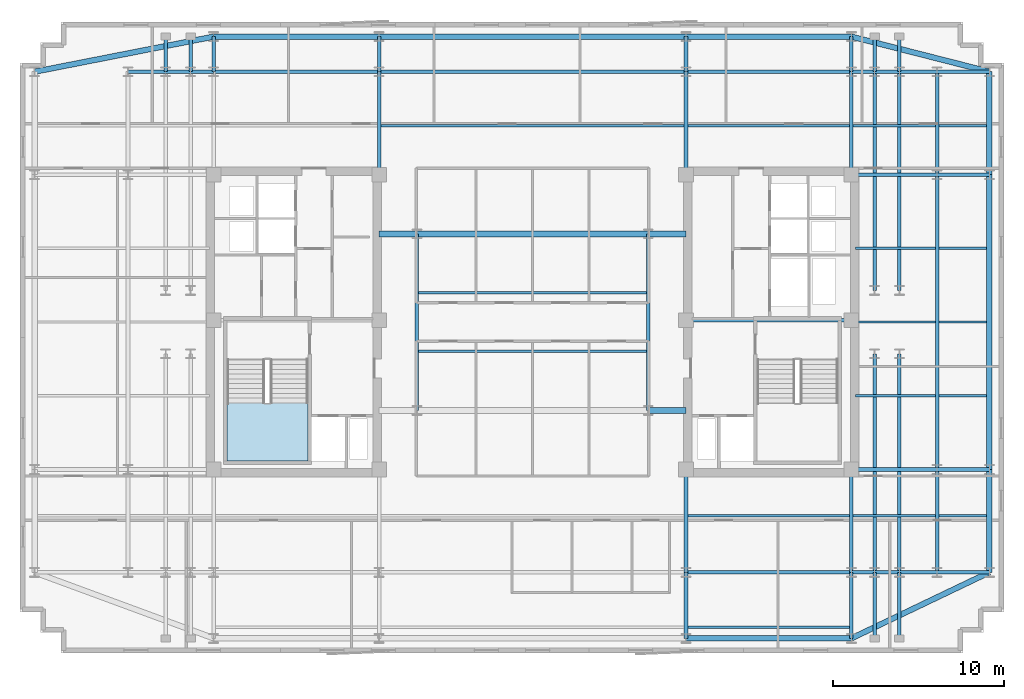
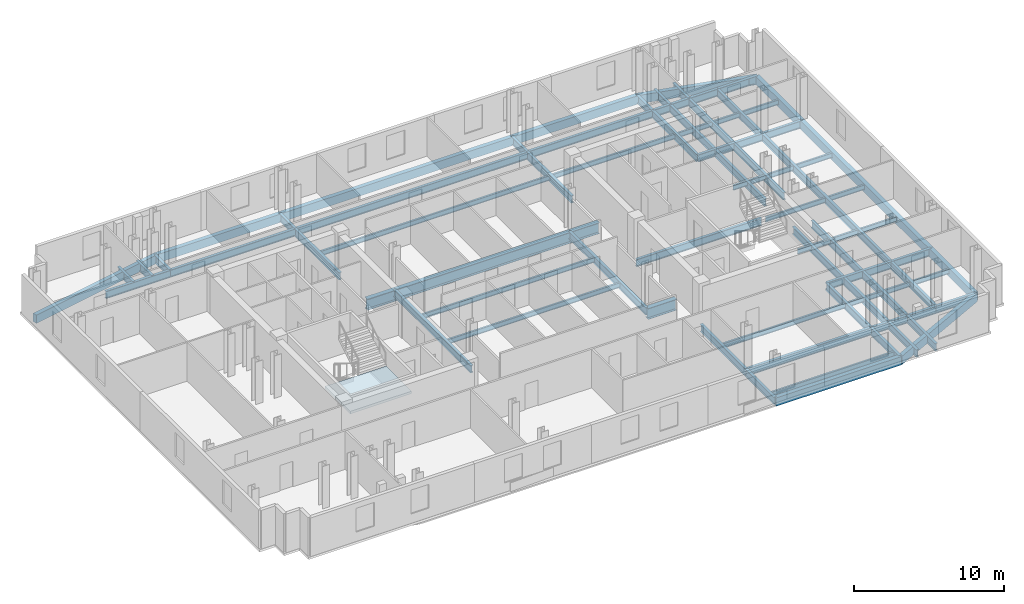
# One storey, part 2 of 10: 70 beams, 1 slab, 1 element without a shape of its own.
"""IFC4 building model written with IfcOpenShell, lengths in metres."""

from ifc_helpers import new_model, si_unit, direction, frame, origin, origin_2d, place, context, subcontext, project, spatial, polyline, rectangle, i_section, outline, extrude, material, layer, layer_set, material_profile, profile_set, type_object, element, aggregate, save


model = new_model("IFC4")

# Units and contexts
model_context = context("Model", 3, precision=1e-05, world=origin(), true_north=direction((0.0, 1.0)))
body_context = subcontext(model_context, "Body", "Model", "MODEL_VIEW")
ifc_project = project(units=[si_unit("LENGTHUNIT", "METRE"), si_unit("AREAUNIT", "SQUARE_METRE"), si_unit("VOLUMEUNIT", "CUBIC_METRE"), si_unit("PLANEANGLEUNIT", "RADIAN"), si_unit("MASSUNIT", "GRAM", prefix="KILO")], contexts=[model_context])

# Site, building, storey
site_placement = place(None, origin())
site = spatial("IfcSite", under=ifc_project, at=site_placement, CompositionType="ELEMENT")
building_placement = place(site_placement, origin())
building = spatial("IfcBuilding", under=site, at=building_placement, Name="Velakula Bourse", CompositionType="ELEMENT")
storey_placement = place(building_placement, frame((0.0, 0.0, 239.550048828125)))
storey = spatial("IfcBuildingStorey", under=building, at=storey_placement, Name="L65", CompositionType="ELEMENT", Elevation=239.550048828125)

# Beams
ifc_material_1 = material(Name="Steel IS 2062 Grade 350 (E350)", Category="steel")
ifc_material_profile_1 = material_profile(ifc_material_1, i_section(OverallWidth=0.2099609375, OverallDepth=0.60009765625, WebThickness=0.011962890625, FlangeThickness=0.020751953125, at=origin_2d()), Name="Steel IS 2062 Grade 350 (E350)")
ifc_profile_set_1 = profile_set([ifc_material_profile_1], Name="Steel IS 2062 Grade 350 (E350)")
beam_type_1 = type_object("IfcBeamType", Name="BM-GRD-600L", PredefinedType="BEAM", material=ifc_profile_set_1)
beam_1_placement = place(storey_placement, frame((8.949951171875, 0.10009765625, -0.47998046875), z_axis=(1.0, 0.0, 0.0), x_axis=(0.0, 1.0, 0.0)))
element("IfcBeam", 1, at=beam_1_placement, inside=storey, type_object=beam_type_1, Name="L65 Primary Backbone Girder CRE-M", PredefinedType="BEAM", context=body_context, shape_type="SweptSolid", body=[
    extrude(i_section(OverallWidth=0.2099609375, OverallDepth=0.60009765625, WebThickness=0.011962890625, FlangeThickness=0.020751953125, at=origin_2d()), origin(), (0.0, 0.0, 1.0), 9.650146484375),
])
for number, where, z_axis, x_axis, name in (
    (2, (-6.75, -5.14990234375, -0.47998046875), (0.0, 1.0, 0.0), (-1.0, 0.0, 0.0), "L65 Primary Backbone Girder SPN-W"),
    (3, (6.75, -5.14990234375, -0.47998046875), (0.0, 1.0, 0.0), (-1.0, 0.0, 0.0), "L65 Primary Backbone Girder SPN-E"),
):
    element("IfcBeam", number, at=place(storey_placement, frame(where, z_axis=z_axis, x_axis=x_axis)), inside=storey, type_object=beam_type_1, Name=name, PredefinedType="BEAM", context=body_context, shape_type="SweptSolid", body=[
        extrude(i_section(OverallWidth=0.2099609375, OverallDepth=0.60009765625, WebThickness=0.011962890625, FlangeThickness=0.020751953125, at=origin_2d()), origin(), (0.0, 0.0, 1.0), 10.2998046875),
    ])
for number, where, z_axis, x_axis, name in (
    (4, (-8.949951171875, 8.60009765625, -0.47998046875), (0.0, 1.0, 0.0), (-1.0, 0.0, 0.0), "L65 Fulcrum Grid Girder FLC-WCN"),
    (5, (8.949951171875, -14.60009765625, -0.47998046875), (0.0, 1.0, 0.0), (-1.0, 0.0, 0.0), "L65 Fulcrum Grid Girder FLC-ECS"),
    (6, (8.949951171875, 8.60009765625, -0.47998046875), (0.0, 1.0, 0.0), (-1.0, 0.0, 0.0), "L65 Fulcrum Grid Girder FLC-ECN"),
    (7, (18.60009765625, -14.60009765625, -0.47998046875), (0.0, 1.0, 0.0), (-1.0, 0.0, 0.0), "L65 Fulcrum Grid Girder FLC-ES"),
    (8, (18.60009765625, 8.60009765625, -0.47998046875), (0.0, 1.0, 0.0), (-1.0, 0.0, 0.0), "L65 Fulcrum Grid Girder FLC-EN"),
):
    element("IfcBeam", number, at=place(storey_placement, frame(where, z_axis=z_axis, x_axis=x_axis)), inside=storey, type_object=beam_type_1, Name=name, PredefinedType="BEAM", context=body_context, shape_type="SweptSolid", body=[
        extrude(i_section(OverallWidth=0.2099609375, OverallDepth=0.60009765625, WebThickness=0.011962890625, FlangeThickness=0.020751953125, at=origin_2d()), origin(), (0.0, 0.0, 1.0), 6.0),
    ])
for number, where, z_axis, x_axis, name in (
    (9, (8.949951171875, -14.60009765625, -0.47998046875), (1.0, 0.0, 0.0), (0.0, 1.0, 0.0), "L65 Fulcrum Grid Girder FLC-S3"),
    (10, (-18.60009765625, 14.60009765625, -0.47998046875), (1.0, 0.0, 0.0), (0.0, 1.0, 0.0), "L65 Fulcrum Grid Girder FLC-N1"),
):
    element("IfcBeam", number, at=place(storey_placement, frame(where, z_axis=z_axis, x_axis=x_axis)), inside=storey, type_object=beam_type_1, Name=name, PredefinedType="BEAM", context=body_context, shape_type="SweptSolid", body=[
        extrude(i_section(OverallWidth=0.2099609375, OverallDepth=0.60009765625, WebThickness=0.011962890625, FlangeThickness=0.020751953125, at=origin_2d()), origin(), (0.0, 0.0, 1.0), 9.650146484375),
    ])
beam_2_placement = place(storey_placement, frame((-8.949951171875, 14.60009765625, -0.47998046875), z_axis=(1.0, 0.0, 0.0), x_axis=(0.0, 1.0, 0.0)))
element("IfcBeam", 11, at=beam_2_placement, inside=storey, type_object=beam_type_1, Name="L65 Fulcrum Grid Girder FLC-N2", PredefinedType="BEAM", context=body_context, shape_type="SweptSolid", body=[
    extrude(i_section(OverallWidth=0.2099609375, OverallDepth=0.60009765625, WebThickness=0.011962890625, FlangeThickness=0.020751953125, at=origin_2d()), origin(), (0.0, 0.0, 1.0), 17.89990234375),
])
beam_3_placement = place(storey_placement, frame((8.949951171875, 14.60009765625, -0.47998046875), z_axis=(1.0, 0.0, 0.0), x_axis=(0.0, 1.0, 0.0)))
element("IfcBeam", 12, at=beam_3_placement, inside=storey, type_object=beam_type_1, Name="L65 Fulcrum Grid Girder FLC-N3", PredefinedType="BEAM", context=body_context, shape_type="SweptSolid", body=[
    extrude(i_section(OverallWidth=0.2099609375, OverallDepth=0.60009765625, WebThickness=0.011962890625, FlangeThickness=0.020751953125, at=origin_2d()), origin(), (0.0, 0.0, 1.0), 9.650146484375),
])
for number, where, z_axis, x_axis, name in (
    (13, (19.949951171875, -14.60009765625, -0.47998046875), (0.0, 1.0, 0.0), (-1.0, 0.0, 0.0), "L65 Fulcrum Grid Girder FLC-PSE1"),
    (14, (19.949951171875, 1.85009765625, -0.47998046875), (0.0, 1.0, 0.0), (-1.0, 0.0, 0.0), "L65 Fulcrum Grid Girder FLC-PNE1"),
    (15, (21.39990234375, -14.60009765625, -0.47998046875), (0.0, 1.0, 0.0), (-1.0, 0.0, 0.0), "L65 Fulcrum Grid Girder FLC-PSE2"),
    (16, (21.39990234375, 1.85009765625, -0.47998046875), (0.0, 1.0, 0.0), (-1.0, 0.0, 0.0), "L65 Fulcrum Grid Girder FLC-PNE2"),
):
    element("IfcBeam", number, at=place(storey_placement, frame(where, z_axis=z_axis, x_axis=x_axis)), inside=storey, type_object=beam_type_1, Name=name, PredefinedType="BEAM", context=body_context, shape_type="SweptSolid", body=[
        extrude(i_section(OverallWidth=0.2099609375, OverallDepth=0.60009765625, WebThickness=0.011962890625, FlangeThickness=0.020751953125, at=origin_2d()), origin(), (0.0, 0.0, 1.0), 12.75),
    ])
for number, where, z_axis, x_axis, name in (
    (17, (-23.60009765625, 14.60009765625, -0.47998046875), (1.0, 0.0, 0.0), (0.0, 1.0, 0.0), "L65 Fulcrum Grid Girder MWG-WN2"),
    (18, (18.60009765625, -14.60009765625, -0.47998046875), (1.0, 0.0, 0.0), (0.0, 1.0, 0.0), "L65 Fulcrum Grid Girder MWG-ES1"),
    (19, (18.60009765625, -8.60009765625, -0.47998046875), (1.0, 0.0, 0.0), (0.0, 1.0, 0.0), "L65 Fulcrum Grid Girder MWG-ES2"),
    (20, (18.60009765625, 8.60009765625, -0.47998046875), (1.0, 0.0, 0.0), (0.0, 1.0, 0.0), "L65 Fulcrum Grid Girder MWG-EN1"),
    (21, (18.60009765625, 14.60009765625, -0.47998046875), (1.0, 0.0, 0.0), (0.0, 1.0, 0.0), "L65 Fulcrum Grid Girder MWG-EN2"),
):
    element("IfcBeam", number, at=place(storey_placement, frame(where, z_axis=z_axis, x_axis=x_axis)), inside=storey, type_object=beam_type_1, Name=name, PredefinedType="BEAM", context=body_context, shape_type="SweptSolid", body=[
        extrude(i_section(OverallWidth=0.2099609375, OverallDepth=0.60009765625, WebThickness=0.011962890625, FlangeThickness=0.020751953125, at=origin_2d()), origin(), (0.0, 0.0, 1.0), 5.0),
    ])
beam_4_placement = place(storey_placement, frame((23.60009765625, -14.60009765625, -0.47998046875), z_axis=(0.0, 1.0, 0.0), x_axis=(-1.0, 0.0, 0.0)))
element("IfcBeam", 22, at=beam_4_placement, inside=storey, type_object=beam_type_1, Name="L65 Fulcrum Grid Girder MWG-ENS1", PredefinedType="BEAM", context=body_context, shape_type="SweptSolid", body=[
    extrude(i_section(OverallWidth=0.2099609375, OverallDepth=0.60009765625, WebThickness=0.011962890625, FlangeThickness=0.020751953125, at=origin_2d()), origin(), (0.0, 0.0, 1.0), 6.0),
])
beam_5_placement = place(storey_placement, frame((23.60009765625, -8.60009765625, -0.47998046875), z_axis=(0.0, 1.0, 0.0), x_axis=(-1.0, 0.0, 0.0)))
element("IfcBeam", 23, at=beam_5_placement, inside=storey, type_object=beam_type_1, Name="L65 Fulcrum Grid Girder MWG-ENS2", PredefinedType="BEAM", context=body_context, shape_type="SweptSolid", body=[
    extrude(i_section(OverallWidth=0.2099609375, OverallDepth=0.60009765625, WebThickness=0.011962890625, FlangeThickness=0.020751953125, at=origin_2d()), origin(), (0.0, 0.0, 1.0), 17.2001953125),
])
beam_6_placement = place(storey_placement, frame((23.60009765625, 8.60009765625, -0.47998046875), z_axis=(0.0, 1.0, 0.0), x_axis=(-1.0, 0.0, 0.0)))
element("IfcBeam", 24, at=beam_6_placement, inside=storey, type_object=beam_type_1, Name="L65 Fulcrum Grid Girder MWG-ENS3", PredefinedType="BEAM", context=body_context, shape_type="SweptSolid", body=[
    extrude(i_section(OverallWidth=0.2099609375, OverallDepth=0.60009765625, WebThickness=0.011962890625, FlangeThickness=0.020751953125, at=origin_2d()), origin(), (0.0, 0.0, 1.0), 6.0),
])
for number, where, z_axis, x_axis, name in (
    (25, (8.949951171875, -14.60009765625, -0.47998046875), (0.0, -1.0, 0.0), (1.0, 0.0, 0.0), "L65 Perimeter Tie Girder S3"),
    (26, (18.60009765625, -14.60009765625, -0.47998046875), (0.0, -1.0, 0.0), (1.0, 0.0, 0.0), "L65 Perimeter Tie Girder S4"),
):
    element("IfcBeam", number, at=place(storey_placement, frame(where, z_axis=z_axis, x_axis=x_axis)), inside=storey, type_object=beam_type_1, Name=name, PredefinedType="BEAM", context=body_context, shape_type="SweptSolid", body=[
        extrude(i_section(OverallWidth=0.2099609375, OverallDepth=0.60009765625, WebThickness=0.011962890625, FlangeThickness=0.020751953125, at=origin_2d()), origin(), (0.0, 0.0, 1.0), 3.849853515625),
    ])
for number, where, z_axis, x_axis, name in (
    (27, (-18.60009765625, 14.60009765625, -0.47998046875), (0.0, 1.0, 0.0), (-1.0, 0.0, 0.0), "L65 Perimeter Tie Girder N1"),
    (28, (-8.949951171875, 14.60009765625, -0.47998046875), (0.0, 1.0, 0.0), (-1.0, 0.0, 0.0), "L65 Perimeter Tie Girder N2"),
    (29, (8.949951171875, 14.60009765625, -0.47998046875), (0.0, 1.0, 0.0), (-1.0, 0.0, 0.0), "L65 Perimeter Tie Girder N3"),
    (30, (18.60009765625, 14.60009765625, -0.47998046875), (0.0, 1.0, 0.0), (-1.0, 0.0, 0.0), "L65 Perimeter Tie Girder N4"),
):
    element("IfcBeam", number, at=place(storey_placement, frame(where, z_axis=z_axis, x_axis=x_axis)), inside=storey, type_object=beam_type_1, Name=name, PredefinedType="BEAM", context=body_context, shape_type="SweptSolid", body=[
        extrude(i_section(OverallWidth=0.2099609375, OverallDepth=0.60009765625, WebThickness=0.011962890625, FlangeThickness=0.020751953125, at=origin_2d()), origin(), (0.0, 0.0, 1.0), 2.0498046875),
    ])
for number, where, z_axis, x_axis, name in (
    (31, (23.60009765625, -14.60009765625, -0.47998046875), (1.0, 0.0, 0.0), (0.0, 1.0, 0.0), "L65 Perimeter Tie Girder E1"),
    (32, (23.60009765625, -8.60009765625, -0.47998046875), (1.0, 0.0, 0.0), (0.0, 1.0, 0.0), "L65 Perimeter Tie Girder E2"),
    (33, (23.60009765625, 8.60009765625, -0.47998046875), (1.0, 0.0, 0.0), (0.0, 1.0, 0.0), "L65 Perimeter Tie Girder E3"),
    (34, (23.60009765625, 14.60009765625, -0.47998046875), (1.0, 0.0, 0.0), (0.0, 1.0, 0.0), "L65 Perimeter Tie Girder E4"),
):
    element("IfcBeam", number, at=place(storey_placement, frame(where, z_axis=z_axis, x_axis=x_axis)), inside=storey, type_object=beam_type_1, Name=name, PredefinedType="BEAM", context=body_context, shape_type="SweptSolid", body=[
        extrude(i_section(OverallWidth=0.2099609375, OverallDepth=0.60009765625, WebThickness=0.011962890625, FlangeThickness=0.020751953125, at=origin_2d()), origin(), (0.0, 0.0, 1.0), 3.0498046875),
    ])
for number, where, z_axis, x_axis, name in (
    (35, (19.949951171875, -14.60009765625, -0.47998046875), (0.0, -1.0, 0.0), (1.0, 0.0, 0.0), "L65 Perimeter Tie Girder P03"),
    (36, (21.39990234375, -14.60009765625, -0.47998046875), (0.0, -1.0, 0.0), (1.0, 0.0, 0.0), "L65 Perimeter Tie Girder P04"),
):
    element("IfcBeam", number, at=place(storey_placement, frame(where, z_axis=z_axis, x_axis=x_axis)), inside=storey, type_object=beam_type_1, Name=name, PredefinedType="BEAM", context=body_context, shape_type="SweptSolid", body=[
        extrude(i_section(OverallWidth=0.2099609375, OverallDepth=0.60009765625, WebThickness=0.011962890625, FlangeThickness=0.020751953125, at=origin_2d()), origin(), (0.0, 0.0, 1.0), 3.849853515625),
    ])
for number, where, z_axis, x_axis, name in (
    (37, (-21.39990234375, 14.60009765625, -0.47998046875), (0.0, 1.0, 0.0), (-1.0, 0.0, 0.0), "L65 Perimeter Tie Girder P05"),
    (38, (-19.949951171875, 14.60009765625, -0.47998046875), (0.0, 1.0, 0.0), (-1.0, 0.0, 0.0), "L65 Perimeter Tie Girder P06"),
    (39, (19.949951171875, 14.60009765625, -0.47998046875), (0.0, 1.0, 0.0), (-1.0, 0.0, 0.0), "L65 Perimeter Tie Girder P07"),
    (40, (21.39990234375, 14.60009765625, -0.47998046875), (0.0, 1.0, 0.0), (-1.0, 0.0, 0.0), "L65 Perimeter Tie Girder P08"),
):
    element("IfcBeam", number, at=place(storey_placement, frame(where, z_axis=z_axis, x_axis=x_axis)), inside=storey, type_object=beam_type_1, Name=name, PredefinedType="BEAM", context=body_context, shape_type="SweptSolid", body=[
        extrude(i_section(OverallWidth=0.2099609375, OverallDepth=0.60009765625, WebThickness=0.011962890625, FlangeThickness=0.020751953125, at=origin_2d()), origin(), (0.0, 0.0, 1.0), 2.0498046875),
    ])
ifc_material_profile_2 = material_profile(ifc_material_1, i_section(OverallWidth=0.35009765625, OverallDepth=0.89990234375, WebThickness=0.02001953125, FlangeThickness=0.031982421875, at=origin_2d()), Name="Steel IS 2062 Grade 350 (E350)")
ifc_profile_set_2 = profile_set([ifc_material_profile_2], Name="Steel IS 2062 Grade 350 (E350)")
beam_type_2 = type_object("IfcBeamType", Name="BM-LNK-900", PredefinedType="BEAM", material=ifc_profile_set_2)
for number, where, z_axis, x_axis, name in (
    (41, (6.75, -5.14990234375, -0.630126953125), (1.0, 0.0, 0.0), (0.0, 1.0, 0.0), "L65 Primary Backbone Girder LNK-S3"),
    (42, (-8.949951171875, 5.14990234375, -0.630126953125), (1.0, 0.0, 0.0), (0.0, 1.0, 0.0), "L65 Primary Backbone Girder LNK-N1"),
):
    element("IfcBeam", number, at=place(storey_placement, frame(where, z_axis=z_axis, x_axis=x_axis)), inside=storey, type_object=beam_type_2, Name=name, PredefinedType="BEAM", context=body_context, shape_type="SweptSolid", body=[
        extrude(i_section(OverallWidth=0.35009765625, OverallDepth=0.89990234375, WebThickness=0.02001953125, FlangeThickness=0.031982421875, at=origin_2d()), origin(), (0.0, 0.0, 1.0), 2.199951171875),
    ])
beam_7_placement = place(storey_placement, frame((-6.75, 5.14990234375, -0.630126953125), z_axis=(1.0, 0.0, 0.0), x_axis=(0.0, 1.0, 0.0)))
element("IfcBeam", 43, at=beam_7_placement, inside=storey, type_object=beam_type_2, Name="L65 Primary Backbone Girder LNK-N2", PredefinedType="BEAM", context=body_context, shape_type="SweptSolid", body=[
    extrude(i_section(OverallWidth=0.35009765625, OverallDepth=0.89990234375, WebThickness=0.02001953125, FlangeThickness=0.031982421875, at=origin_2d()), origin(), (0.0, 0.0, 1.0), 13.5),
])
beam_8_placement = place(storey_placement, frame((6.75, 5.14990234375, -0.630126953125), z_axis=(1.0, 0.0, 0.0), x_axis=(0.0, 1.0, 0.0)))
element("IfcBeam", 44, at=beam_8_placement, inside=storey, type_object=beam_type_2, Name="L65 Primary Backbone Girder LNK-N3", PredefinedType="BEAM", context=body_context, shape_type="SweptSolid", body=[
    extrude(i_section(OverallWidth=0.35009765625, OverallDepth=0.89990234375, WebThickness=0.02001953125, FlangeThickness=0.031982421875, at=origin_2d()), origin(), (0.0, 0.0, 1.0), 2.199951171875),
])
ifc_material_profile_3 = material_profile(ifc_material_1, i_section(OverallWidth=0.139892578125, OverallDepth=0.39990234375, WebThickness=0.0087890625, FlangeThickness=0.01611328125, at=origin_2d()), Name="Steel IS 2062 Grade 350 (E350)")
ifc_profile_set_3 = profile_set([ifc_material_profile_3], Name="Steel IS 2062 Grade 350 (E350)")
beam_type_3 = type_object("IfcBeamType", Name="JST-TWR-400", PredefinedType="JOIST", material=ifc_profile_set_3)
for number, where, z_axis, x_axis, name in (
    (45, (9.054931640625, -17.800048828125, -0.380126953125), (1.0, 0.0, 0.0), (0.0, 1.0, 0.0), "L65 Trading Floor Composite Joist 03"),
    (46, (9.054931640625, -11.300048828125, -0.380126953125), (1.0, 0.0, 0.0), (0.0, 1.0, 0.0), "L65 Trading Floor Composite Joist 08"),
):
    element("IfcBeam", number, at=place(storey_placement, frame(where, z_axis=z_axis, x_axis=x_axis)), inside=storey, type_object=beam_type_3, Name=name, PredefinedType="JOIST", context=body_context, shape_type="SweptSolid", body=[
        extrude(i_section(OverallWidth=0.139892578125, OverallDepth=0.39990234375, WebThickness=0.0087890625, FlangeThickness=0.01611328125, at=origin_2d()), origin(), (0.0, 0.0, 1.0), 9.440185546875),
    ])
beam_9_placement = place(storey_placement, frame((18.705078125, -11.300048828125, -0.380126953125), z_axis=(1.0, 0.0, 0.0), x_axis=(0.0, 1.0, 0.0)))
element("IfcBeam", 47, at=beam_9_placement, inside=storey, type_object=beam_type_3, Name="L65 Trading Floor Composite Joist 09", PredefinedType="JOIST", context=body_context, shape_type="SweptSolid", body=[
    extrude(i_section(OverallWidth=0.139892578125, OverallDepth=0.39990234375, WebThickness=0.0087890625, FlangeThickness=0.01611328125, at=origin_2d()), origin(), (0.0, 0.0, 1.0), 4.7900390625),
])
beam_10_placement = place(storey_placement, frame((23.705078125, -11.300048828125, -0.380126953125), z_axis=(1.0, 0.0, 0.0), x_axis=(0.0, 1.0, 0.0)))
element("IfcBeam", 48, at=beam_10_placement, inside=storey, type_object=beam_type_3, Name="L65 Trading Floor Composite Joist 10", PredefinedType="JOIST", context=body_context, shape_type="SweptSolid", body=[
    extrude(i_section(OverallWidth=0.139892578125, OverallDepth=0.39990234375, WebThickness=0.0087890625, FlangeThickness=0.01611328125, at=origin_2d()), origin(), (0.0, 0.0, 1.0), 2.784912109375),
])
beam_11_placement = place(storey_placement, frame((-8.844970703125, 11.449951171875, -0.380126953125), z_axis=(1.0, 0.0, 0.0), x_axis=(0.0, 1.0, 0.0)))
element("IfcBeam", 49, at=beam_11_placement, inside=storey, type_object=beam_type_3, Name="L65 Trading Floor Composite Joist 14", PredefinedType="JOIST", context=body_context, shape_type="SweptSolid", body=[
    extrude(i_section(OverallWidth=0.139892578125, OverallDepth=0.39990234375, WebThickness=0.0087890625, FlangeThickness=0.01611328125, at=origin_2d()), origin(), (0.0, 0.0, 1.0), 17.68994140625),
])
beam_12_placement = place(storey_placement, frame((9.054931640625, 11.449951171875, -0.380126953125), z_axis=(1.0, 0.0, 0.0), x_axis=(0.0, 1.0, 0.0)))
element("IfcBeam", 50, at=beam_12_placement, inside=storey, type_object=beam_type_3, Name="L65 Trading Floor Composite Joist 15", PredefinedType="JOIST", context=body_context, shape_type="SweptSolid", body=[
    extrude(i_section(OverallWidth=0.139892578125, OverallDepth=0.39990234375, WebThickness=0.0087890625, FlangeThickness=0.01611328125, at=origin_2d()), origin(), (0.0, 0.0, 1.0), 9.440185546875),
])
beam_13_placement = place(storey_placement, frame((18.705078125, 11.449951171875, -0.380126953125), z_axis=(1.0, 0.0, 0.0), x_axis=(0.0, 1.0, 0.0)))
element("IfcBeam", 51, at=beam_13_placement, inside=storey, type_object=beam_type_3, Name="L65 Trading Floor Composite Joist 16", PredefinedType="JOIST", context=body_context, shape_type="SweptSolid", body=[
    extrude(i_section(OverallWidth=0.139892578125, OverallDepth=0.39990234375, WebThickness=0.0087890625, FlangeThickness=0.01611328125, at=origin_2d()), origin(), (0.0, 0.0, 1.0), 4.7900390625),
])
beam_14_placement = place(storey_placement, frame((23.705078125, 11.449951171875, -0.380126953125), z_axis=(1.0, 0.0, 0.0), x_axis=(0.0, 1.0, 0.0)))
element("IfcBeam", 52, at=beam_14_placement, inside=storey, type_object=beam_type_3, Name="L65 Trading Floor Composite Joist 17", PredefinedType="JOIST", context=body_context, shape_type="SweptSolid", body=[
    extrude(i_section(OverallWidth=0.139892578125, OverallDepth=0.39990234375, WebThickness=0.0087890625, FlangeThickness=0.01611328125, at=origin_2d()), origin(), (0.0, 0.0, 1.0), 2.784912109375),
])
for number, where, z_axis, x_axis, name in (
    (53, (-6.64501953125, -1.699951171875, -0.380126953125), (1.0, 0.0, 0.0), (0.0, 1.0, 0.0), "L65 Trading Floor Composite Joist 18"),
    (54, (-6.64501953125, 1.699951171875, -0.380126953125), (1.0, 0.0, 0.0), (0.0, 1.0, 0.0), "L65 Trading Floor Composite Joist 19"),
):
    element("IfcBeam", number, at=place(storey_placement, frame(where, z_axis=z_axis, x_axis=x_axis)), inside=storey, type_object=beam_type_3, Name=name, PredefinedType="JOIST", context=body_context, shape_type="SweptSolid", body=[
        extrude(i_section(OverallWidth=0.139892578125, OverallDepth=0.39990234375, WebThickness=0.0087890625, FlangeThickness=0.01611328125, at=origin_2d()), origin(), (0.0, 0.0, 1.0), 13.2900390625),
    ])
beam_15_placement = place(storey_placement, frame((18.85009765625, -4.300048828125, -0.380126953125), z_axis=(1.0, 0.0, 0.0), x_axis=(0.0, 1.0, 0.0)))
element("IfcBeam", 55, at=beam_15_placement, inside=storey, type_object=beam_type_3, Name="L65 Trading Floor Composite Joist 22", PredefinedType="JOIST", context=body_context, shape_type="SweptSolid", body=[
    extrude(i_section(OverallWidth=0.139892578125, OverallDepth=0.39990234375, WebThickness=0.0087890625, FlangeThickness=0.01611328125, at=origin_2d()), origin(), (0.0, 0.0, 1.0), 4.64501953125),
])
beam_16_placement = place(storey_placement, frame((23.705078125, -4.300048828125, -0.380126953125), z_axis=(1.0, 0.0, 0.0), x_axis=(0.0, 1.0, 0.0)))
element("IfcBeam", 56, at=beam_16_placement, inside=storey, type_object=beam_type_3, Name="L65 Trading Floor Composite Joist 23", PredefinedType="JOIST", context=body_context, shape_type="SweptSolid", body=[
    extrude(i_section(OverallWidth=0.139892578125, OverallDepth=0.39990234375, WebThickness=0.0087890625, FlangeThickness=0.01611328125, at=origin_2d()), origin(), (0.0, 0.0, 1.0), 2.784912109375),
])
beam_17_placement = place(storey_placement, frame((18.85009765625, 0.0, -0.380126953125), z_axis=(1.0, 0.0, 0.0), x_axis=(0.0, 1.0, 0.0)))
element("IfcBeam", 57, at=beam_17_placement, inside=storey, type_object=beam_type_3, Name="L65 Trading Floor Composite Joist 26", PredefinedType="JOIST", context=body_context, shape_type="SweptSolid", body=[
    extrude(i_section(OverallWidth=0.139892578125, OverallDepth=0.39990234375, WebThickness=0.0087890625, FlangeThickness=0.01611328125, at=origin_2d()), origin(), (0.0, 0.0, 1.0), 4.64501953125),
])
beam_18_placement = place(storey_placement, frame((23.705078125, 0.0, -0.380126953125), z_axis=(1.0, 0.0, 0.0), x_axis=(0.0, 1.0, 0.0)))
element("IfcBeam", 58, at=beam_18_placement, inside=storey, type_object=beam_type_3, Name="L65 Trading Floor Composite Joist 27", PredefinedType="JOIST", context=body_context, shape_type="SweptSolid", body=[
    extrude(i_section(OverallWidth=0.139892578125, OverallDepth=0.39990234375, WebThickness=0.0087890625, FlangeThickness=0.01611328125, at=origin_2d()), origin(), (0.0, 0.0, 1.0), 2.784912109375),
])
beam_19_placement = place(storey_placement, frame((18.85009765625, 4.300048828125, -0.380126953125), z_axis=(1.0, 0.0, 0.0), x_axis=(0.0, 1.0, 0.0)))
element("IfcBeam", 59, at=beam_19_placement, inside=storey, type_object=beam_type_3, Name="L65 Trading Floor Composite Joist 30", PredefinedType="JOIST", context=body_context, shape_type="SweptSolid", body=[
    extrude(i_section(OverallWidth=0.139892578125, OverallDepth=0.39990234375, WebThickness=0.0087890625, FlangeThickness=0.01611328125, at=origin_2d()), origin(), (0.0, 0.0, 1.0), 4.64501953125),
])
beam_20_placement = place(storey_placement, frame((23.705078125, 4.300048828125, -0.380126953125), z_axis=(1.0, 0.0, 0.0), x_axis=(0.0, 1.0, 0.0)))
element("IfcBeam", 60, at=beam_20_placement, inside=storey, type_object=beam_type_3, Name="L65 Trading Floor Composite Joist 31", PredefinedType="JOIST", context=body_context, shape_type="SweptSolid", body=[
    extrude(i_section(OverallWidth=0.139892578125, OverallDepth=0.39990234375, WebThickness=0.0087890625, FlangeThickness=0.01611328125, at=origin_2d()), origin(), (0.0, 0.0, 1.0), 2.784912109375),
])
ifc_material_2 = material(Name="Precast concrete M45 (fck 45 MPa)", Category="concrete")
ifc_material_profile_4 = material_profile(ifc_material_2, rectangle(XDim=0.320068359375, YDim=0.679931640625, at=origin_2d()), Name="Precast concrete M45 (fck 45 MPa)")
ifc_profile_set_4 = profile_set([ifc_material_profile_4], Name="Precast concrete M45 (fck 45 MPa)")
beam_type_4 = type_object("IfcBeamType", Name="SPN-BRICK-680", PredefinedType="SPANDREL", material=ifc_profile_set_4)
for number, where, z_axis, x_axis, name in (
    (61, (8.949951171875, -18.449951171875, -0.52001953125), (1.0, 0.0, 0.0), (0.0, 1.0, 0.0), "L65 Brick-Faced Precast Spandrel S3-S4"),
    (62, (-18.60009765625, 16.64990234375, -0.52001953125), (1.0, 0.0, 0.0), (0.0, 1.0, 0.0), "L65 Brick-Faced Precast Spandrel N1-N2"),
):
    element("IfcBeam", number, at=place(storey_placement, frame(where, z_axis=z_axis, x_axis=x_axis)), inside=storey, type_object=beam_type_4, Name=name, PredefinedType="SPANDREL", context=body_context, shape_type="SweptSolid", body=[
        extrude(rectangle(XDim=0.320068359375, YDim=0.679931640625, at=origin_2d()), origin(), (0.0, 0.0, 1.0), 9.650146484375),
    ])
beam_21_placement = place(storey_placement, frame((-8.949951171875, 16.64990234375, -0.52001953125), z_axis=(1.0, 0.0, 0.0), x_axis=(0.0, 1.0, 0.0)))
element("IfcBeam", 63, at=beam_21_placement, inside=storey, type_object=beam_type_4, Name="L65 Brick-Faced Precast Spandrel N2-N3", PredefinedType="SPANDREL", context=body_context, shape_type="SweptSolid", body=[
    extrude(rectangle(XDim=0.320068359375, YDim=0.679931640625, at=origin_2d()), origin(), (0.0, 0.0, 1.0), 17.89990234375),
])
beam_22_placement = place(storey_placement, frame((8.949951171875, 16.64990234375, -0.52001953125), z_axis=(1.0, 0.0, 0.0), x_axis=(0.0, 1.0, 0.0)))
element("IfcBeam", 64, at=beam_22_placement, inside=storey, type_object=beam_type_4, Name="L65 Brick-Faced Precast Spandrel N3-N4", PredefinedType="SPANDREL", context=body_context, shape_type="SweptSolid", body=[
    extrude(rectangle(XDim=0.320068359375, YDim=0.679931640625, at=origin_2d()), origin(), (0.0, 0.0, 1.0), 9.650146484375),
])
beam_23_placement = place(storey_placement, frame((26.64990234375, -14.60009765625, -0.52001953125), z_axis=(0.0, 1.0, 0.0), x_axis=(-1.0, 0.0, 0.0)))
element("IfcBeam", 65, at=beam_23_placement, inside=storey, type_object=beam_type_4, Name="L65 Brick-Faced Precast Spandrel E1-E2", PredefinedType="SPANDREL", context=body_context, shape_type="SweptSolid", body=[
    extrude(rectangle(XDim=0.320068359375, YDim=0.679931640625, at=origin_2d()), origin(), (0.0, 0.0, 1.0), 6.0),
])
beam_24_placement = place(storey_placement, frame((26.64990234375, -8.60009765625, -0.52001953125), z_axis=(0.0, 1.0, 0.0), x_axis=(-1.0, 0.0, 0.0)))
element("IfcBeam", 66, at=beam_24_placement, inside=storey, type_object=beam_type_4, Name="L65 Brick-Faced Precast Spandrel E2-E3", PredefinedType="SPANDREL", context=body_context, shape_type="SweptSolid", body=[
    extrude(rectangle(XDim=0.320068359375, YDim=0.679931640625, at=origin_2d()), origin(), (0.0, 0.0, 1.0), 17.2001953125),
])
beam_25_placement = place(storey_placement, frame((26.64990234375, 8.60009765625, -0.52001953125), z_axis=(0.0, 1.0, 0.0), x_axis=(-1.0, 0.0, 0.0)))
element("IfcBeam", 67, at=beam_25_placement, inside=storey, type_object=beam_type_4, Name="L65 Brick-Faced Precast Spandrel E3-E4", PredefinedType="SPANDREL", context=body_context, shape_type="SweptSolid", body=[
    extrude(rectangle(XDim=0.320068359375, YDim=0.679931640625, at=origin_2d()), origin(), (0.0, 0.0, 1.0), 6.0),
])
beam_26_placement = place(storey_placement, frame((18.60009765625, -18.449951171875, -0.52001953125), z_axis=(0.902136536758, 0.431450656561, 0.0), x_axis=(-0.431450656561, 0.902136536758, 0.0)))
element("IfcBeam", 68, at=beam_26_placement, inside=storey, type_object=beam_type_4, Name="L65 Brick-Faced Precast Spandrel S4-E1", PredefinedType="SPANDREL", context=body_context, shape_type="SweptSolid", body=[
    extrude(rectangle(XDim=0.320068359375, YDim=0.679931640625, at=origin_2d()), origin(), (0.0, 0.0, 1.0), 8.923095703125),
])
beam_27_placement = place(storey_placement, frame((26.64990234375, 14.60009765625, -0.52001953125), z_axis=(-0.969075197656, 0.246765599888, 0.0), x_axis=(-0.246765599888, -0.969075197656, 0.0)))
element("IfcBeam", 69, at=beam_27_placement, inside=storey, type_object=beam_type_4, Name="L65 Brick-Faced Precast Spandrel E4-N4", PredefinedType="SPANDREL", context=body_context, shape_type="SweptSolid", body=[
    extrude(rectangle(XDim=0.320068359375, YDim=0.679931640625, at=origin_2d()), origin(), (0.0, 0.0, 1.0), 8.306640625),
])
beam_28_placement = place(storey_placement, frame((-18.60009765625, 16.64990234375, -0.52001953125), z_axis=(-0.981299657048, -0.192486319197, 0.0), x_axis=(0.192486319197, -0.981299657048, 0.0)))
element("IfcBeam", 70, at=beam_28_placement, inside=storey, type_object=beam_type_4, Name="L65 Brick-Faced Precast Spandrel N1-W4", PredefinedType="SPANDREL", context=body_context, shape_type="SweptSolid", body=[
    extrude(rectangle(XDim=0.320068359375, YDim=0.679931640625, at=origin_2d()), origin(), (0.0, 0.0, 1.0), 10.649169921875),
])

# Stair, slab
ifc_material_3 = material(Name="Concrete M45 (fck 45 MPa)", Category="concrete")
stair_type = type_object("IfcStairType", Name="STR-DOG-390", PredefinedType="HALF_TURN_STAIR", material=ifc_material_3)
stair_placement = place(storey_placement, origin())
stair = element("IfcStair", 71, at=stair_placement, inside=storey, type_object=stair_type, Name="L65 West Core Exit Stair ST-W1", PredefinedType="HALF_TURN_STAIR")
ifc_layer = layer(ifc_material_3, 0.199951171875, Name="Concrete M45 (fck 45 MPa)", Category="concrete")
ifc_layer_set = layer_set([ifc_layer], Name="Concrete M45 (fck 45 MPa)")
slab_type = type_object("IfcSlabType", Name="SLB-STAIR-LND-200", PredefinedType="LANDING", material=ifc_layer_set)
slab_placement = place(storey_placement, frame((0.0, 0.0, 1.52490234375)))
slab = element("IfcSlab", 72, at=slab_placement, type_object=slab_type, Name="ST-W1 landing 1", PredefinedType="LANDING", context=body_context, shape_type="SweptSolid", body=[
    extrude(outline(polyline([(-17.820068359375, -4.719970703125), (-17.820068359375, -8.10009765625), (-13.10009765625, -8.10009765625), (-13.10009765625, -4.719970703125), (-17.820068359375, -4.719970703125)])), origin(), (0.0, 0.0, 1.0), 0.199951171875),
])
aggregate(stair, [slab])

save(model, "model.ifc")
